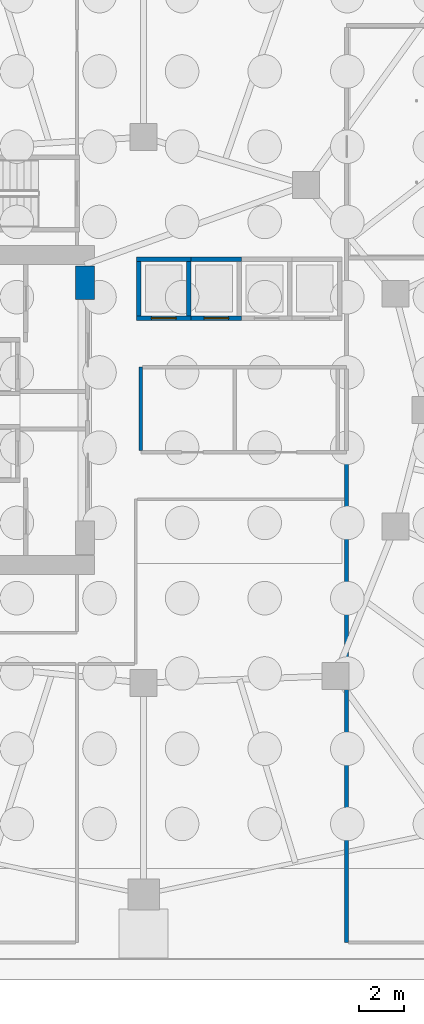
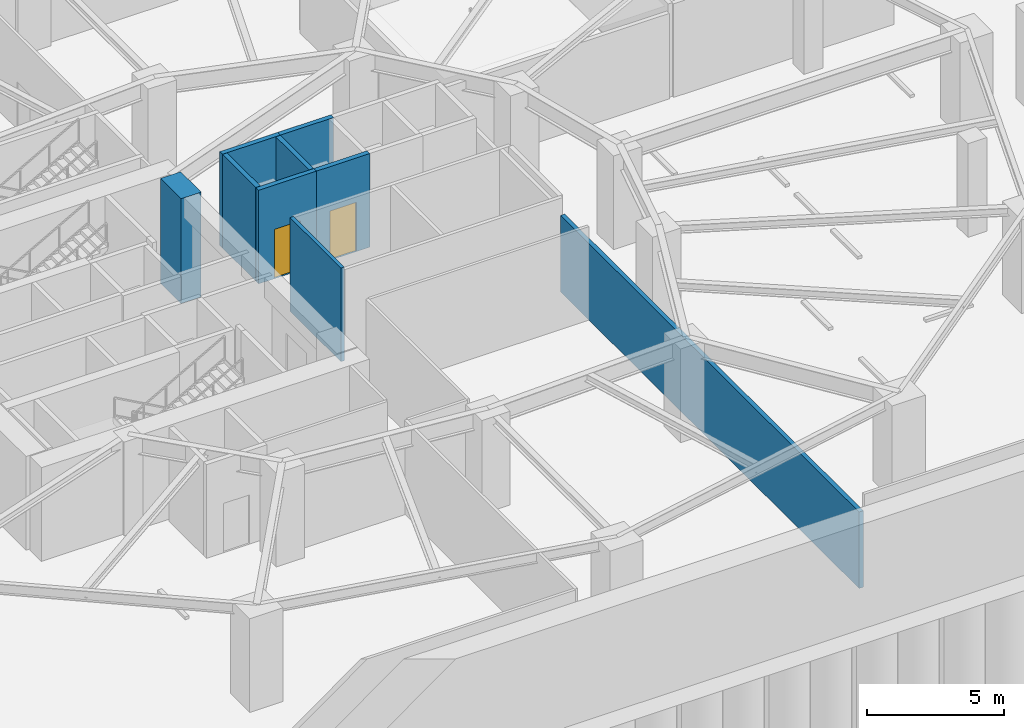
# One storey, part 7 of 19: 9 walls, 2 doors, 2 openings.
"""IFC4 building model written with IfcOpenShell, lengths in metres."""

from ifc_helpers import new_model, si_unit, direction, frame, frame_2d, origin, place, context, subcontext, project, spatial, rectangle, extrude, material, layer, layer_set, type_object, element, fill, save


model = new_model("IFC4")

# Units and contexts
model_context = context("Model", 3, precision=1e-05, world=origin(), true_north=direction((0.0, 1.0)))
body_context = subcontext(model_context, "Body", "Model", "MODEL_VIEW")
ifc_project = project(units=[si_unit("LENGTHUNIT", "METRE"), si_unit("AREAUNIT", "SQUARE_METRE"), si_unit("VOLUMEUNIT", "CUBIC_METRE"), si_unit("PLANEANGLEUNIT", "RADIAN"), si_unit("MASSUNIT", "GRAM", prefix="KILO")], contexts=[model_context])

# Site, building, storey
site_placement = place(None, origin())
site = spatial("IfcSite", under=ifc_project, at=site_placement, CompositionType="ELEMENT")
building_placement = place(site_placement, origin())
building = spatial("IfcBuilding", under=site, at=building_placement, Name="Kolvaren Gate Tower and Convention Centre", CompositionType="ELEMENT")
storey_placement = place(building_placement, frame((0.0, 0.0, -13.5)))
storey = spatial("IfcBuildingStorey", under=building, at=storey_placement, Name="B3", CompositionType="ELEMENT", Elevation=-13.5)

# Walls
ifc_material_1 = material(Name="Autoclaved Aerated Masonry Blockwork Class 4 (4.0 MPa)", Category="masonry")
ifc_layer_1 = layer(ifc_material_1, 0.179931640625)
ifc_layer_set_1 = layer_set([ifc_layer_1], Name="Autoclaved Aerated Masonry Blockwork Class 4 (4.0 MPa)")
wall_type_1 = type_object("IfcWallType", Name="ARCH-WL-COMP-180", PredefinedType="SOLIDWALL", material=ifc_layer_set_1)
wall_1_placement = place(storey_placement, frame((39.199951171875, 3.199951171875, 0.0), z_axis=(0.0, 0.0, 1.0), x_axis=(0.0, 1.0, 0.0)))
element("IfcWall", 1, at=wall_1_placement, inside=storey, type_object=wall_type_1, Name="Interior Partition WL-B3-INT-023", PredefinedType="SOLIDWALL", context=body_context, shape_type="SweptSolid", body=[
    extrude(rectangle(XDim=21.843017578125, YDim=0.179931640625, at=frame_2d((10.92138671875, 0.0))), origin(), (0.0, 0.0, 1.0), 3.4140625),
])
ifc_layer_2 = layer(ifc_material_1, 0.199951171875)
ifc_layer_set_2 = layer_set([ifc_layer_2], Name="Autoclaved Aerated Masonry Blockwork Class 4 (4.0 MPa)")
wall_type_2 = type_object("IfcWallType", Name="ARCH-WL-SHAFT-200", PredefinedType="SOLIDWALL", material=ifc_layer_set_2)
wall_2_placement = place(storey_placement, frame((29.800048828125, 33.75, 0.0), z_axis=(0.0, 0.0, 1.0), x_axis=(1.0, 0.0, 0.0)))
element("IfcWall", 2, at=wall_2_placement, inside=storey, type_object=wall_type_2, Name="Elevator PL-01 B3 Fire Shaft Wall N", PredefinedType="SOLIDWALL", context=body_context, shape_type="SweptSolid", body=[
    extrude(rectangle(XDim=2.449951171875, YDim=0.199951171875, at=frame_2d((1.22509765625, 0.0))), origin(), (0.0, 0.0, 1.0), 4.179931640625),
])

# Wall, opening, door
wall_3_placement = place(storey_placement, frame((29.800048828125, 31.10009765625, 0.0), z_axis=(0.0, 0.0, 1.0), x_axis=(1.0, 0.0, 0.0)))
wall_3 = element("IfcWall", 3, at=wall_3_placement, inside=storey, type_object=wall_type_2, Name="Elevator PL-01 B3 Fire Shaft Wall S", PredefinedType="SOLIDWALL", context=body_context, shape_type="SweptSolid", body=[
    extrude(rectangle(XDim=2.449951171875, YDim=0.199951171875, at=frame_2d((1.22509765625, 0.0))), origin(), (0.0, 0.0, 1.0), 4.179931640625),
])
opening_1_placement = place(wall_3_placement, frame((0.675048828125, 0.0, 0.0)))
opening_1 = element("IfcOpeningElement", 4, at=opening_1_placement, cuts=wall_3, Name="Opening LD", PredefinedType="OPENING", context=body_context, shape_type="SweptSolid", body=[
    extrude(rectangle(XDim=1.10009765625, YDim=2.199951171875, at=frame_2d((0.550048828125, 1.10009765625))), frame((0.0, 0.10986328125, 0.0), z_axis=(0.0, -1.0, 0.0), x_axis=(1.0, 0.0, 0.0)), (0.0, 0.0, 1.0), 0.219970703125),
])
ifc_material_2 = material(Name="Brushed Stainless Steel Grade 316L", Category="steel")
door_type = type_object("IfcDoorType", Name="ARCH-DR-LIFT-1100", OperationType="SLIDING_TO_LEFT", PredefinedType="DOOR", material=ifc_material_2)
door_1_placement = place(opening_1_placement, origin())
door_1 = element("IfcDoor", 5, at=door_1_placement, inside=storey, type_object=door_type, Name="Elevator PL-01 B3 Sliding Landing Door", OperationType="SLIDING_TO_LEFT", OverallHeight=2.199951171875, OverallWidth=1.10009765625, PredefinedType="DOOR", context=body_context, shape_type="SweptSolid", body=[
    extrude(rectangle(XDim=1.10009765625, YDim=2.199951171875, at=frame_2d((0.550048828125, 1.10009765625))), frame((0.0, 0.02490234375, 0.0), z_axis=(0.0, -1.0, 0.0), x_axis=(1.0, 0.0, 0.0)), (0.0, 0.0, 1.0), 0.050048828125),
])
fill(opening_1, door_1)

# Walls
for number, where, z_axis, x_axis, name in (
    (6, (29.89990234375, 31.2099609375, 0.0), (0.0, 0.0, 1.0), (0.0, 1.0, 0.0), "Elevator PL-01 B3 Fire Shaft Wall W"),
    (7, (32.14990234375, 31.2099609375, 0.0), (0.0, 0.0, 1.0), (0.0, 1.0, 0.0), "Elevator PL-01 B3 Fire Shaft Wall E"),
):
    element("IfcWall", number, at=place(storey_placement, frame(where, z_axis=z_axis, x_axis=x_axis)), inside=storey, type_object=wall_type_2, Name=name, PredefinedType="SOLIDWALL", context=body_context, shape_type="SweptSolid", body=[
        extrude(rectangle(XDim=2.429931640625, YDim=0.199951171875, at=frame_2d((1.21484375, 0.0))), origin(), (0.0, 0.0, 1.0), 4.179931640625),
    ])
wall_4_placement = place(storey_placement, frame((32.25, 33.75, 0.0), z_axis=(0.0, 0.0, 1.0), x_axis=(1.0, 0.0, 0.0)))
element("IfcWall", 8, at=wall_4_placement, inside=storey, type_object=wall_type_2, Name="Elevator PL-02 B3 Fire Shaft Wall N", PredefinedType="SOLIDWALL", context=body_context, shape_type="SweptSolid", body=[
    extrude(rectangle(XDim=2.25, YDim=0.199951171875, at=frame_2d((1.125, 0.0))), origin(), (0.0, 0.0, 1.0), 4.179931640625),
])

# Wall, opening, door
wall_5_placement = place(storey_placement, frame((32.25, 31.10009765625, 0.0), z_axis=(0.0, 0.0, 1.0), x_axis=(1.0, 0.0, 0.0)))
wall_5 = element("IfcWall", 9, at=wall_5_placement, inside=storey, type_object=wall_type_2, Name="Elevator PL-02 B3 Fire Shaft Wall S", PredefinedType="SOLIDWALL", context=body_context, shape_type="SweptSolid", body=[
    extrude(rectangle(XDim=2.25, YDim=0.199951171875, at=frame_2d((1.125, 0.0))), origin(), (0.0, 0.0, 1.0), 4.179931640625),
])
opening_2_placement = place(wall_5_placement, frame((0.574951171875, 0.0, 0.0)))
opening_2 = element("IfcOpeningElement", 10, at=opening_2_placement, cuts=wall_5, Name="Opening LD", PredefinedType="OPENING", context=body_context, shape_type="SweptSolid", body=[
    extrude(rectangle(XDim=1.10009765625, YDim=2.199951171875, at=frame_2d((0.550048828125, 1.10009765625))), frame((0.0, 0.10986328125, 0.0), z_axis=(0.0, -1.0, 0.0), x_axis=(1.0, 0.0, 0.0)), (0.0, 0.0, 1.0), 0.219970703125),
])
door_2_placement = place(opening_2_placement, origin())
door_2 = element("IfcDoor", 11, at=door_2_placement, inside=storey, type_object=door_type, Name="Elevator PL-02 B3 Sliding Landing Door", OperationType="SLIDING_TO_LEFT", OverallHeight=2.199951171875, OverallWidth=1.10009765625, PredefinedType="DOOR", context=body_context, shape_type="SweptSolid", body=[
    extrude(rectangle(XDim=1.10009765625, YDim=2.199951171875, at=frame_2d((0.550048828125, 1.10009765625))), frame((0.0, 0.02490234375, 0.0), z_axis=(0.0, -1.0, 0.0), x_axis=(1.0, 0.0, 0.0)), (0.0, 0.0, 1.0), 0.050048828125),
])
fill(opening_2, door_2)

# Walls
ifc_material_3 = material(Name="Moisture-Resistant Cement-Board Acoustic Partition", Category="gypsum")
ifc_layer_3 = layer(ifc_material_3, 0.14990234375)
ifc_layer_set_3 = layer_set([ifc_layer_3], Name="Moisture-Resistant Cement-Board Acoustic Partition")
wall_type_3 = type_object("IfcWallType", Name="ARCH-WL-WET-150", PredefinedType="PARTITIONING", material=ifc_layer_set_3)
wall_6_placement = place(storey_placement, frame((30.0, 25.197021484375, 0.0), z_axis=(0.0, 0.0, 1.0), x_axis=(0.0, 1.0, 0.0)))
element("IfcWall", 12, at=wall_6_placement, inside=storey, type_object=wall_type_3, Name="Interior Partition WL-B3-INT-010", PredefinedType="PARTITIONING", context=body_context, shape_type="SweptSolid", body=[
    extrude(rectangle(XDim=3.722900390625, YDim=0.14990234375, at=frame_2d((1.861328125, 0.0))), origin(), (0.0, 0.0, 1.0), 4.179931640625),
])
ifc_material_4 = material(Name="Concrete C70/85", Category="concrete")
ifc_layer_4 = layer(ifc_material_4, 0.85009765625)
ifc_layer_set_4 = layer_set([ifc_layer_4], Name="Concrete C70/85")
wall_type_4 = type_object("IfcWallType", Name="STR-WL-CORE-850", PredefinedType="SHEAR", material=ifc_layer_set_4)
wall_7_placement = place(storey_placement, frame((27.5, 31.949951171875, -0.5), z_axis=(0.0, 0.0, 1.0), x_axis=(0.0, 1.0, 0.0)))
element("IfcWall", 13, at=wall_7_placement, inside=storey, type_object=wall_type_4, Name="Tower B3 Offset Core Shear Wall EN", PredefinedType="SHEAR", context=body_context, shape_type="SweptSolid", body=[
    extrude(rectangle(XDim=1.5, YDim=0.85009765625, at=frame_2d((0.75, 0.0))), origin(), (0.0, 0.0, 1.0), 4.679931640625),
])

save(model, "model.ifc")
